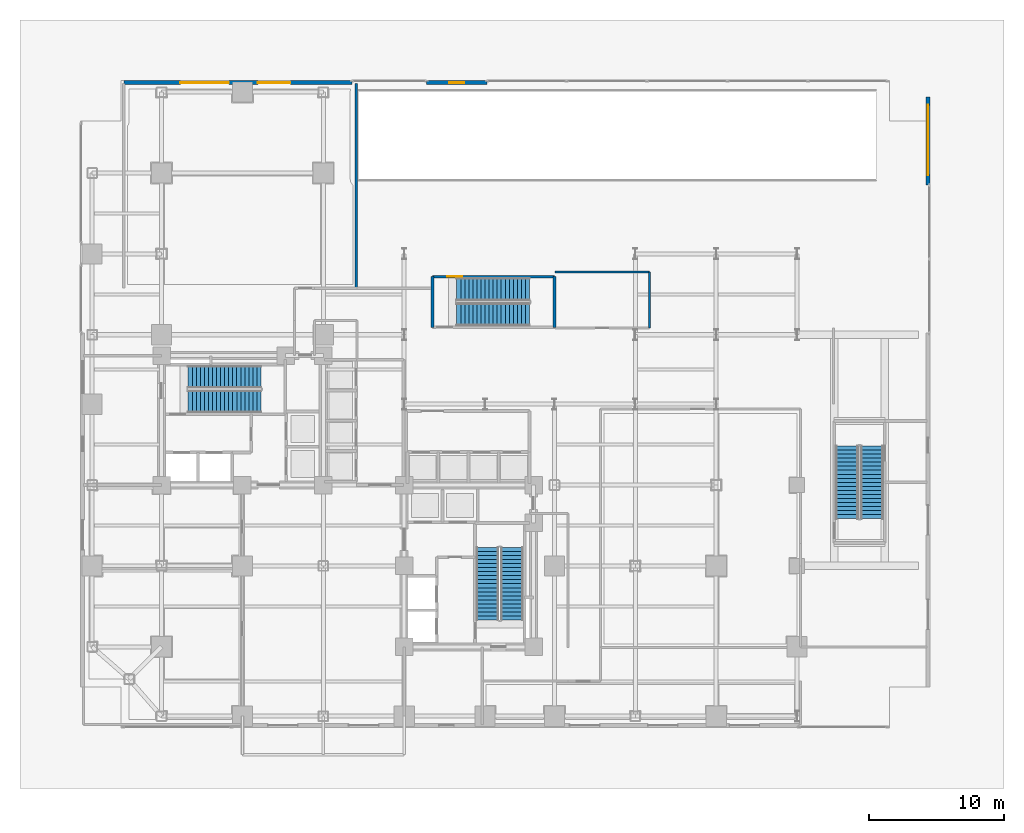
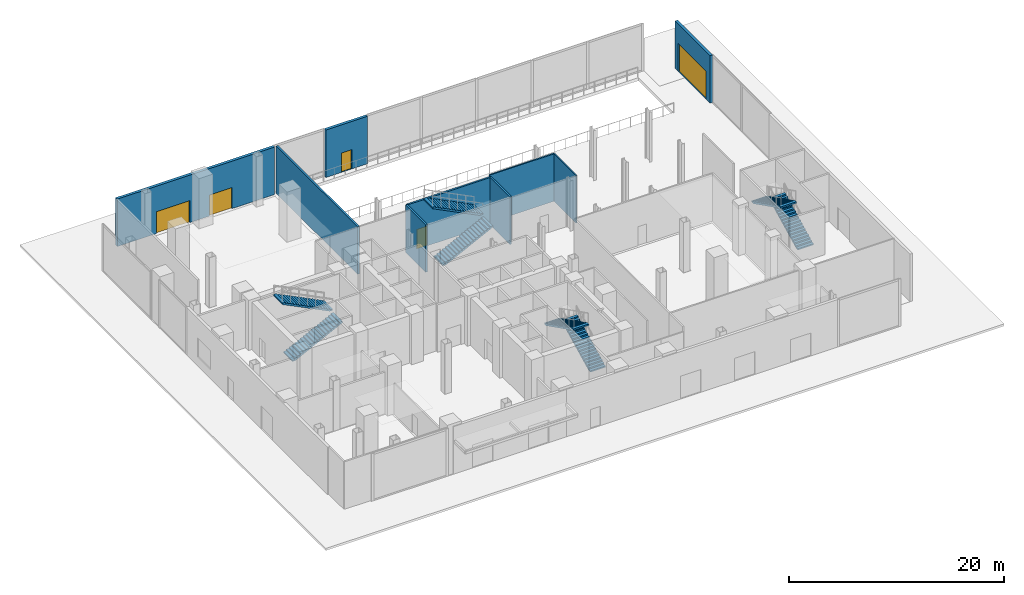
# One storey, part 21 of 27: 9 walls, 8 stair flights, 5 doors, 5 openings, 4 elements without a shape of their own.
"""IFC4 building model written with IfcOpenShell, lengths in metres."""

from ifc_helpers import new_model, si_unit, direction, frame, frame_2d, origin, place, context, subcontext, project, spatial, polyline, rectangle, outline, extrude, material, layer, layer_set, type_object, element, fill, aggregate, save


model = new_model("IFC4")

# Units and contexts
model_context = context("Model", 3, precision=1e-05, world=origin(), true_north=direction((0.0, 1.0)))
body_context = subcontext(model_context, "Body", "Model", "MODEL_VIEW")
ifc_project = project(units=[si_unit("LENGTHUNIT", "METRE"), si_unit("AREAUNIT", "SQUARE_METRE"), si_unit("VOLUMEUNIT", "CUBIC_METRE"), si_unit("PLANEANGLEUNIT", "RADIAN"), si_unit("MASSUNIT", "GRAM", prefix="KILO"), si_unit("THERMODYNAMICTEMPERATUREUNIT", "KELVIN"), si_unit("POWERUNIT", "WATT")], contexts=[model_context])

# Site, building, storey
site_placement = place(None, origin())
site = spatial("IfcSite", under=ifc_project, at=site_placement, CompositionType="ELEMENT")
building_placement = place(site_placement, origin())
building = spatial("IfcBuilding", under=site, at=building_placement, Name="Svarakhadi Broadcast Tower", CompositionType="ELEMENT")
storey_placement = place(building_placement, origin())
storey = spatial("IfcBuildingStorey", under=building, at=storey_placement, Name="L00", CompositionType="ELEMENT", Elevation=0.0)

# Wall, opening, door
ifc_material_1 = material(Name="Concrete C40/50 (IS 456 M50)", Category="concrete")
ifc_layer_1 = layer(ifc_material_1, 0.300048828125)
ifc_layer_set_1 = layer_set([ifc_layer_1], Name="Concrete C40/50 (IS 456 M50)")
wall_type_1 = type_object("IfcWallType", Name="Wall_Ext_300", PredefinedType="SOLIDWALL", material=ifc_layer_set_1)
wall_1_placement = place(storey_placement, frame((62.85009765625, 46.800048828125, 0.0), z_axis=(0.0, 0.0, 1.0), x_axis=(0.0, -1.0, 0.0)))
wall_1 = element("IfcWall", 1, at=wall_1_placement, inside=storey, type_object=wall_type_1, Name="L00 East Waterfront Ramp Portal Wall", PredefinedType="SOLIDWALL", context=body_context, shape_type="SweptSolid", body=[
    extrude(rectangle(XDim=6.545166015625, YDim=0.300048828125, at=frame_2d((3.2724609375, 0.0))), origin(), (0.0, 0.0, 1.0), 5.39990234375),
])
opening_1_placement = place(wall_1_placement, frame((0.60009765625, 0.0, 0.0)))
opening_1 = element("IfcOpeningElement", 2, at=opening_1_placement, cuts=wall_1, Name="Opening VG-01", PredefinedType="OPENING", context=body_context, shape_type="SweptSolid", body=[
    extrude(rectangle(XDim=5.199951171875, YDim=3.199951171875, at=frame_2d((2.60009765625, 1.60009765625))), frame((0.0, 0.159912109375, 0.0), z_axis=(0.0, -1.0, 0.0), x_axis=(1.0, 0.0, 0.0)), (0.0, 0.0, 1.0), 0.320068359375),
])
ifc_material_2 = material(Name="Steel S355J2 (IS 2062 E350C)", Category="steel")
door_type_1 = type_object("IfcDoorType", Name="Gate_Ramp_VG01", OperationType="ROLLINGUP", PredefinedType="GATE", material=ifc_material_2)
door_1_placement = place(opening_1_placement, origin())
door_1 = element("IfcDoor", 3, at=door_1_placement, inside=storey, type_object=door_type_1, Name="Basement Car Park Ramp Roller Shutter Gate VG-01", OperationType="ROLLINGUP", OverallHeight=3.199951171875, OverallWidth=5.199951171875, PredefinedType="GATE", context=body_context, shape_type="SweptSolid", body=[
    extrude(rectangle(XDim=5.199951171875, YDim=3.199951171875, at=frame_2d((2.60009765625, 1.60009765625))), frame((0.0, 0.02490234375, 0.0), z_axis=(0.0, -1.0, 0.0), x_axis=(1.0, 0.0, 0.0)), (0.0, 0.0, 1.0), 0.050048828125),
])
fill(opening_1, door_1)

# Wall, openings, doors
wall_2_placement = place(storey_placement, frame((3.199951171875, 47.85009765625, 0.0), z_axis=(0.0, 0.0, 1.0), x_axis=(1.0, 0.0, 0.0)))
wall_2 = element("IfcWall", 4, at=wall_2_placement, inside=storey, type_object=wall_type_1, Name="L00 North OB-Van Loading Dock Wall", PredefinedType="SOLIDWALL", context=body_context, shape_type="SweptSolid", body=[
    extrude(rectangle(XDim=16.945068359375, YDim=0.300048828125, at=frame_2d((8.47265625, 0.0))), origin(), (0.0, 0.0, 1.0), 5.39990234375),
])
opening_2_placement = place(wall_2_placement, frame((4.199951171875, 0.0, 0.0)))
opening_2 = element("IfcOpeningElement", 5, at=opening_2_placement, cuts=wall_2, Name="Opening FG-01", PredefinedType="OPENING", context=body_context, shape_type="SweptSolid", body=[
    extrude(rectangle(XDim=3.60009765625, YDim=2.5, at=frame_2d((1.800048828125, 1.25))), frame((0.0, 0.159912109375, 0.0), z_axis=(0.0, -1.0, 0.0), x_axis=(1.0, 0.0, 0.0)), (0.0, 0.0, 1.0), 0.320068359375),
])
opening_3_placement = place(wall_2_placement, frame((9.949951171875, 0.0, 0.0)))
opening_3 = element("IfcOpeningElement", 6, at=opening_3_placement, cuts=wall_2, Name="Opening FG-02", PredefinedType="OPENING", context=body_context, shape_type="SweptSolid", body=[
    extrude(rectangle(XDim=2.39990234375, YDim=2.39990234375, at=frame_2d((1.199951171875, 1.199951171875))), frame((0.0, 0.159912109375, 0.0), z_axis=(0.0, -1.0, 0.0), x_axis=(1.0, 0.0, 0.0)), (0.0, 0.0, 1.0), 0.320068359375),
])
door_type_2 = type_object("IfcDoorType", Name="Gate_Flood_FG01", OperationType="SLIDING_TO_LEFT", PredefinedType="GATE", material=ifc_material_2)
door_2_placement = place(opening_2_placement, origin())
door_2 = element("IfcDoor", 7, at=door_2_placement, inside=storey, type_object=door_type_2, Name="Monsoon Flood Barrier Loading Gate FG-01", OperationType="SLIDING_TO_LEFT", OverallHeight=2.5, OverallWidth=3.60009765625, PredefinedType="GATE", context=body_context, shape_type="SweptSolid", body=[
    extrude(rectangle(XDim=3.60009765625, YDim=2.5, at=frame_2d((1.800048828125, 1.25))), frame((0.0, 0.02490234375, 0.0), z_axis=(0.0, -1.0, 0.0), x_axis=(1.0, 0.0, 0.0)), (0.0, 0.0, 1.0), 0.050048828125),
])
fill(opening_2, door_2)
door_type_3 = type_object("IfcDoorType", Name="Gate_Flood_FG02", OperationType="SLIDING_TO_RIGHT", PredefinedType="GATE", material=ifc_material_2)
door_3_placement = place(opening_3_placement, origin())
door_3 = element("IfcDoor", 8, at=door_3_placement, inside=storey, type_object=door_type_3, Name="Broadcast OB-Van Service Dock Flood Gate FG-02", OperationType="SLIDING_TO_RIGHT", OverallHeight=2.39990234375, OverallWidth=2.39990234375, PredefinedType="GATE", context=body_context, shape_type="SweptSolid", body=[
    extrude(rectangle(XDim=2.39990234375, YDim=2.39990234375, at=frame_2d((1.199951171875, 1.199951171875))), frame((0.0, 0.02490234375, 0.0), z_axis=(0.0, -1.0, 0.0), x_axis=(1.0, 0.0, 0.0)), (0.0, 0.0, 1.0), 0.050048828125),
])
fill(opening_3, door_3)

# Wall, opening, door
wall_3_placement = place(storey_placement, frame((25.655029296875, 47.85009765625, 0.0), z_axis=(0.0, 0.0, 1.0), x_axis=(1.0, 0.0, 0.0)))
wall_3 = element("IfcWall", 9, at=wall_3_placement, inside=storey, type_object=wall_type_1, Name="L00 North Stair ST-03 Final Exit Wall", PredefinedType="SOLIDWALL", context=body_context, shape_type="SweptSolid", body=[
    extrude(rectangle(XDim=4.489990234375, YDim=0.300048828125, at=frame_2d((2.2451171875, 0.0))), origin(), (0.0, 0.0, 1.0), 5.39990234375),
])
opening_4_placement = place(wall_3_placement, frame((1.695068359375, 0.0, 0.0)))
opening_4 = element("IfcOpeningElement", 10, at=opening_4_placement, cuts=wall_3, Name="Opening ED-03", PredefinedType="OPENING", context=body_context, shape_type="SweptSolid", body=[
    extrude(rectangle(XDim=1.10009765625, YDim=2.199951171875, at=frame_2d((0.550048828125, 1.10009765625))), frame((0.0, 0.159912109375, 0.0), z_axis=(0.0, -1.0, 0.0), x_axis=(1.0, 0.0, 0.0)), (0.0, 0.0, 1.0), 0.320068359375),
])
ifc_material_3 = material(Name="Anodised Bronze Aluminium AA 6063-T6", Category="aluminium")
door_type_4 = type_object("IfcDoorType", Name="Door_Ext_ED03", OperationType="SINGLE_SWING_LEFT", PredefinedType="DOOR", material=ifc_material_3)
door_4_placement = place(opening_4_placement, origin())
door_4 = element("IfcDoor", 11, at=door_4_placement, inside=storey, type_object=door_type_4, Name="Podium Stair ST-03 Final Exterior Exit Door", OperationType="SINGLE_SWING_LEFT", OverallHeight=2.199951171875, OverallWidth=1.10009765625, PredefinedType="DOOR", context=body_context, shape_type="SweptSolid", body=[
    extrude(rectangle(XDim=1.10009765625, YDim=2.199951171875, at=frame_2d((0.550048828125, 1.10009765625))), frame((0.0, 0.02490234375, 0.0), z_axis=(0.0, -1.0, 0.0), x_axis=(1.0, 0.0, 0.0)), (0.0, 0.0, 1.0), 0.050048828125),
])
fill(opening_4, door_4)

# Walls
ifc_layer_2 = layer(ifc_material_1, 0.199951171875)
ifc_layer_set_2 = layer_set([ifc_layer_2], Name="Concrete C40/50 (IS 456 M50)")
wall_type_2 = type_object("IfcWallType", Name="Wall_Fire_200", PredefinedType="SOLIDWALL", material=ifc_layer_set_2)
wall_4_placement = place(storey_placement, frame((20.449951171875, 32.60009765625, 0.0), z_axis=(0.0, 0.0, 1.0), x_axis=(0.0, 1.0, 0.0)))
element("IfcWall", 12, at=wall_4_placement, inside=storey, type_object=wall_type_2, Name="L00 Broadcast OB-Van Loading Dock and Airlock Wall", PredefinedType="SOLIDWALL", context=body_context, shape_type="SweptSolid", body=[
    extrude(rectangle(XDim=15.179931640625, YDim=0.199951171875, at=frame_2d((7.58984375, 0.0))), origin(), (0.0, 0.0, 1.0), 5.39990234375),
])
ifc_material_4 = material(Name="Autoclaved Aerated Concrete Blockwork 150 mm", Category="masonry")
ifc_layer_3 = layer(ifc_material_4, 0.14990234375)
ifc_layer_set_3 = layer_set([ifc_layer_3], Name="Autoclaved Aerated Concrete Blockwork 150 mm")
wall_type_3 = type_object("IfcWallType", Name="Wall_Part_150", PredefinedType="PARTITIONING", material=ifc_layer_set_3)
wall_5_placement = place(storey_placement, frame((35.199951171875, 33.800048828125, 0.0), z_axis=(0.0, 0.0, 1.0), x_axis=(1.0, 0.0, 0.0)))
element("IfcWall", 13, at=wall_5_placement, inside=storey, type_object=wall_type_3, Name="L00 Accessible Public Washroom WC Wall", PredefinedType="PARTITIONING", context=body_context, shape_type="SweptSolid", body=[
    extrude(rectangle(XDim=7.0, YDim=0.14990234375, at=frame_2d((3.5, 0.0))), origin(), (0.0, 0.0, 1.0), 5.39990234375),
])
wall_6_placement = place(storey_placement, frame((42.199951171875, 29.64990234375, 0.0), z_axis=(0.0, 0.0, 1.0), x_axis=(0.0, 1.0, 0.0)))
element("IfcWall", 14, at=wall_6_placement, inside=storey, type_object=wall_type_3, Name="L00 Accessible Public Washroom WC Wall", PredefinedType="PARTITIONING", context=body_context, shape_type="SweptSolid", body=[
    extrude(rectangle(XDim=4.150146484375, YDim=0.14990234375, at=frame_2d((2.0751953125, 0.0))), origin(), (0.0, 0.0, 1.0), 5.39990234375),
])

# Wall, opening, door
ifc_material_5 = material(Name="Concrete C50/60 (IS 456 M60)", Category="concrete")
ifc_layer_4 = layer(ifc_material_5, 0.199951171875)
ifc_layer_set_4 = layer_set([ifc_layer_4], Name="Concrete C50/60 (IS 456 M60)")
wall_type_4 = type_object("IfcWallType", Name="Wall_Shear_200", PredefinedType="SHEAR", material=ifc_layer_set_4)
wall_7_placement = place(storey_placement, frame((26.10009765625, 33.4599609375, 0.0), z_axis=(0.0, 0.0, 1.0), x_axis=(1.0, 0.0, 0.0)))
wall_7 = element("IfcWall", 15, at=wall_7_placement, inside=storey, type_object=wall_type_4, Name="L00 Stair ST-03 North RC Shaft Wall", PredefinedType="SHEAR", context=body_context, shape_type="SweptSolid", body=[
    extrude(rectangle(XDim=9.0498046875, YDim=0.199951171875, at=frame_2d((4.52490234375, 0.0))), origin(), (0.0, 0.0, 1.0), 5.39990234375),
])
opening_5_placement = place(wall_7_placement, frame((1.10009765625, 0.0, 0.0)))
opening_5 = element("IfcOpeningElement", 16, at=opening_5_placement, cuts=wall_7, Name="Opening D-02", PredefinedType="OPENING", context=body_context, shape_type="SweptSolid", body=[
    extrude(rectangle(XDim=1.10009765625, YDim=2.199951171875, at=frame_2d((0.550048828125, 1.10009765625))), frame((0.0, 0.10986328125, 0.0), z_axis=(0.0, -1.0, 0.0), x_axis=(1.0, 0.0, 0.0)), (0.0, 0.0, 1.0), 0.219970703125),
])
ifc_material_6 = material(Name="Galvanised Powder-Coated Fire-Rated Steel Leaf", Category="steel")
door_type_5 = type_object("IfcDoorType", Name="Door_Stair_D02", OperationType="SINGLE_SWING_RIGHT", PredefinedType="DOOR", material=ifc_material_6)
door_5_placement = place(opening_5_placement, origin())
door_5 = element("IfcDoor", 17, at=door_5_placement, inside=storey, type_object=door_type_5, Name="L00 Stair ST-03 Protected Discharge Door", OperationType="SINGLE_SWING_RIGHT", OverallHeight=2.199951171875, OverallWidth=1.10009765625, PredefinedType="DOOR", context=body_context, shape_type="SweptSolid", body=[
    extrude(rectangle(XDim=1.10009765625, YDim=2.199951171875, at=frame_2d((0.550048828125, 1.10009765625))), frame((0.0, 0.02490234375, 0.0), z_axis=(0.0, -1.0, 0.0), x_axis=(1.0, 0.0, 0.0)), (0.0, 0.0, 1.0), 0.050048828125),
])
fill(opening_5, door_5)

# Walls
for number, where, z_axis, x_axis, name in (
    (18, (26.10009765625, 29.699951171875, 0.0), (0.0, 0.0, 1.0), (0.0, 1.0, 0.0), "L00 Stair ST-03 West RC Shaft Wall"),
    (19, (35.14990234375, 29.699951171875, 0.0), (0.0, 0.0, 1.0), (0.0, 1.0, 0.0), "L00 Stair ST-03 East RC Shaft Wall"),
):
    element("IfcWall", number, at=place(storey_placement, frame(where, z_axis=z_axis, x_axis=x_axis)), inside=storey, type_object=wall_type_4, Name=name, PredefinedType="SHEAR", context=body_context, shape_type="SweptSolid", body=[
        extrude(rectangle(XDim=3.760009765625, YDim=0.199951171875, at=frame_2d((1.8798828125, 0.0))), origin(), (0.0, 0.0, 1.0), 5.39990234375),
    ])

# Stair, stair flights
stair_type_1 = type_object("IfcStairType", Name="Stair_Exit_Core", PredefinedType="HALF_TURN_STAIR", material=ifc_material_1)
stair_1_placement = place(storey_placement, origin())
stair_1 = element("IfcStair", 20, at=stair_1_placement, inside=storey, type_object=stair_type_1, Name="L00 West Core Protected Exit Stair ST-01", PredefinedType="HALF_TURN_STAIR")
stair_flight_type_1 = type_object("IfcStairFlightType", Name="Flight_RC_1680", PredefinedType="STRAIGHT", material=ifc_material_1)
stair_flight_1_placement = place(storey_placement, frame((7.97998046875, 24.18994140625, 0.0), z_axis=(0.0, 0.0, 1.0), x_axis=(1.0, 0.0, 0.0)))
stair_flight_1 = element("IfcStairFlight", 21, at=stair_flight_1_placement, type_object=stair_flight_type_1, Name="ST-01 flight 1", NumberOfRisers=19, NumberOfTreads=18, PredefinedType="STRAIGHT", RiserHeight=0.15, TreadLength=0.3, context=body_context, shape_type="SweptSolid", body=[
    extrude(outline(polyline([(0.0, 0.0), (0.0, 0.14990234375), (0.300048828125, 0.14990234375), (0.300048828125, 0.300048828125), (0.60009765625, 0.300048828125), (0.60009765625, 0.449951171875), (0.89990234375, 0.449951171875), (0.89990234375, 0.60009765625), (1.199951171875, 0.60009765625), (1.199951171875, 0.75), (1.5, 0.75), (1.5, 0.89990234375), (1.800048828125, 0.89990234375), (1.800048828125, 1.050048828125), (2.10009765625, 1.050048828125), (2.10009765625, 1.199951171875), (2.39990234375, 1.199951171875), (2.39990234375, 1.35009765625), (2.699951171875, 1.35009765625), (2.699951171875, 1.5), (3.0, 1.5), (3.0, 1.64990234375), (3.300048828125, 1.64990234375), (3.300048828125, 1.800048828125), (3.60009765625, 1.800048828125), (3.60009765625, 1.949951171875), (3.89990234375, 1.949951171875), (3.89990234375, 2.10009765625), (4.199951171875, 2.10009765625), (4.199951171875, 2.25), (4.5, 2.25), (4.5, 2.39990234375), (4.800048828125, 2.39990234375), (4.800048828125, 2.550048828125), (5.10009765625, 2.550048828125), (5.10009765625, 2.699951171875), (5.39990234375, 2.699951171875), (5.39990234375, 2.85009765625), (5.39990234375, 2.532470703125), (0.335205078125, 0.0), (0.0, 0.0)])), frame((0.0, 0.830078125, 0.0), z_axis=(0.0, -1.0, 0.0), x_axis=(1.0, 0.0, 0.0)), (0.0, 0.0, 1.0), 1.659912109375),
])
stair_flight_2_placement = place(storey_placement, frame((13.3798828125, 26.010009765625, 2.85009765625), z_axis=(0.0, 0.0, 1.0), x_axis=(-1.0, 0.0, 0.0)))
stair_flight_2 = element("IfcStairFlight", 22, at=stair_flight_2_placement, type_object=stair_flight_type_1, Name="ST-01 flight 2", NumberOfRisers=19, NumberOfTreads=18, PredefinedType="STRAIGHT", RiserHeight=0.15, TreadLength=0.3, context=body_context, shape_type="SweptSolid", body=[
    extrude(outline(polyline([(0.0, 0.0), (0.0, 0.14990234375), (0.300048828125, 0.14990234375), (0.300048828125, 0.300048828125), (0.60009765625, 0.300048828125), (0.60009765625, 0.449951171875), (0.89990234375, 0.449951171875), (0.89990234375, 0.60009765625), (1.199951171875, 0.60009765625), (1.199951171875, 0.75), (1.5, 0.75), (1.5, 0.89990234375), (1.800048828125, 0.89990234375), (1.800048828125, 1.050048828125), (2.10009765625, 1.050048828125), (2.10009765625, 1.199951171875), (2.39990234375, 1.199951171875), (2.39990234375, 1.35009765625), (2.699951171875, 1.35009765625), (2.699951171875, 1.5), (3.0, 1.5), (3.0, 1.64990234375), (3.300048828125, 1.64990234375), (3.300048828125, 1.800048828125), (3.60009765625, 1.800048828125), (3.60009765625, 1.949951171875), (3.89990234375, 1.949951171875), (3.89990234375, 2.10009765625), (4.199951171875, 2.10009765625), (4.199951171875, 2.25), (4.5, 2.25), (4.5, 2.39990234375), (4.800048828125, 2.39990234375), (4.800048828125, 2.550048828125), (5.10009765625, 2.550048828125), (5.10009765625, 2.699951171875), (5.39990234375, 2.699951171875), (5.39990234375, 2.85009765625), (5.39990234375, 2.532470703125), (0.335205078125, 0.0), (0.0, 0.0)])), frame((0.0, 0.830078125, 0.0), z_axis=(0.0, -1.0, 0.0), x_axis=(1.0, 0.0, 0.0)), (0.0, 0.0, 1.0), 1.659912109375),
])
aggregate(stair_1, [stair_flight_1, stair_flight_2])

stair_2_placement = place(storey_placement, origin())
stair_2 = element("IfcStair", 23, at=stair_2_placement, inside=storey, type_object=stair_type_1, Name="L00 East Core Protected Exit Stair ST-02", PredefinedType="HALF_TURN_STAIR")
stair_flight_3_placement = place(storey_placement, frame((32.010009765625, 7.97998046875, 0.0), z_axis=(0.0, 0.0, 1.0), x_axis=(0.0, 1.0, 0.0)))
stair_flight_3 = element("IfcStairFlight", 24, at=stair_flight_3_placement, type_object=stair_flight_type_1, Name="ST-02 flight 1", NumberOfRisers=19, NumberOfTreads=18, PredefinedType="STRAIGHT", RiserHeight=0.15, TreadLength=0.3, context=body_context, shape_type="SweptSolid", body=[
    extrude(outline(polyline([(0.0, 0.0), (0.0, 0.14990234375), (0.300048828125, 0.14990234375), (0.300048828125, 0.300048828125), (0.60009765625, 0.300048828125), (0.60009765625, 0.449951171875), (0.89990234375, 0.449951171875), (0.89990234375, 0.60009765625), (1.199951171875, 0.60009765625), (1.199951171875, 0.75), (1.5, 0.75), (1.5, 0.89990234375), (1.800048828125, 0.89990234375), (1.800048828125, 1.050048828125), (2.10009765625, 1.050048828125), (2.10009765625, 1.199951171875), (2.39990234375, 1.199951171875), (2.39990234375, 1.35009765625), (2.699951171875, 1.35009765625), (2.699951171875, 1.5), (3.0, 1.5), (3.0, 1.64990234375), (3.300048828125, 1.64990234375), (3.300048828125, 1.800048828125), (3.60009765625, 1.800048828125), (3.60009765625, 1.949951171875), (3.89990234375, 1.949951171875), (3.89990234375, 2.10009765625), (4.199951171875, 2.10009765625), (4.199951171875, 2.25), (4.5, 2.25), (4.5, 2.39990234375), (4.800048828125, 2.39990234375), (4.800048828125, 2.550048828125), (5.10009765625, 2.550048828125), (5.10009765625, 2.699951171875), (5.39990234375, 2.699951171875), (5.39990234375, 2.85009765625), (5.39990234375, 2.532470703125), (0.335205078125, 0.0), (0.0, 0.0)])), frame((0.0, 0.830078125, 0.0), z_axis=(0.0, -1.0, 0.0), x_axis=(1.0, 0.0, 0.0)), (0.0, 0.0, 1.0), 1.659912109375),
])
stair_flight_4_placement = place(storey_placement, frame((30.18994140625, 13.3798828125, 2.85009765625), z_axis=(0.0, 0.0, 1.0), x_axis=(0.0, -1.0, 0.0)))
stair_flight_4 = element("IfcStairFlight", 25, at=stair_flight_4_placement, type_object=stair_flight_type_1, Name="ST-02 flight 2", NumberOfRisers=19, NumberOfTreads=18, PredefinedType="STRAIGHT", RiserHeight=0.15, TreadLength=0.3, context=body_context, shape_type="SweptSolid", body=[
    extrude(outline(polyline([(0.0, 0.0), (0.0, 0.14990234375), (0.300048828125, 0.14990234375), (0.300048828125, 0.300048828125), (0.60009765625, 0.300048828125), (0.60009765625, 0.449951171875), (0.89990234375, 0.449951171875), (0.89990234375, 0.60009765625), (1.199951171875, 0.60009765625), (1.199951171875, 0.75), (1.5, 0.75), (1.5, 0.89990234375), (1.800048828125, 0.89990234375), (1.800048828125, 1.050048828125), (2.10009765625, 1.050048828125), (2.10009765625, 1.199951171875), (2.39990234375, 1.199951171875), (2.39990234375, 1.35009765625), (2.699951171875, 1.35009765625), (2.699951171875, 1.5), (3.0, 1.5), (3.0, 1.64990234375), (3.300048828125, 1.64990234375), (3.300048828125, 1.800048828125), (3.60009765625, 1.800048828125), (3.60009765625, 1.949951171875), (3.89990234375, 1.949951171875), (3.89990234375, 2.10009765625), (4.199951171875, 2.10009765625), (4.199951171875, 2.25), (4.5, 2.25), (4.5, 2.39990234375), (4.800048828125, 2.39990234375), (4.800048828125, 2.550048828125), (5.10009765625, 2.550048828125), (5.10009765625, 2.699951171875), (5.39990234375, 2.699951171875), (5.39990234375, 2.85009765625), (5.39990234375, 2.532470703125), (0.335205078125, 0.0), (0.0, 0.0)])), frame((0.0, 0.830078125, 0.0), z_axis=(0.0, -1.0, 0.0), x_axis=(1.0, 0.0, 0.0)), (0.0, 0.0, 1.0), 1.659912109375),
])
aggregate(stair_2, [stair_flight_3, stair_flight_4])

stair_type_2 = type_object("IfcStairType", Name="Stair_Exit_Pod", PredefinedType="HALF_TURN_STAIR", material=ifc_material_1)
stair_3_placement = place(storey_placement, origin())
stair_3 = element("IfcStair", 26, at=stair_3_placement, inside=storey, type_object=stair_type_2, Name="L00 Podium Concourse Broadcast Exit Stair ST-03", PredefinedType="HALF_TURN_STAIR")
stair_flight_type_2 = type_object("IfcStairFlightType", Name="Flight_RC_1800", PredefinedType="STRAIGHT", material=ifc_material_1)
stair_flight_5_placement = place(storey_placement, frame((27.89990234375, 30.64990234375, 0.0), z_axis=(0.0, 0.0, 1.0), x_axis=(1.0, 0.0, 0.0)))
stair_flight_5 = element("IfcStairFlight", 27, at=stair_flight_5_placement, type_object=stair_flight_type_2, Name="ST-03 flight 1", NumberOfRisers=19, NumberOfTreads=18, PredefinedType="STRAIGHT", RiserHeight=0.15, TreadLength=0.3, context=body_context, shape_type="SweptSolid", body=[
    extrude(outline(polyline([(0.0, 0.0), (0.0, 0.14990234375), (0.300048828125, 0.14990234375), (0.300048828125, 0.300048828125), (0.60009765625, 0.300048828125), (0.60009765625, 0.449951171875), (0.89990234375, 0.449951171875), (0.89990234375, 0.60009765625), (1.199951171875, 0.60009765625), (1.199951171875, 0.75), (1.5, 0.75), (1.5, 0.89990234375), (1.800048828125, 0.89990234375), (1.800048828125, 1.050048828125), (2.10009765625, 1.050048828125), (2.10009765625, 1.199951171875), (2.39990234375, 1.199951171875), (2.39990234375, 1.35009765625), (2.699951171875, 1.35009765625), (2.699951171875, 1.5), (3.0, 1.5), (3.0, 1.64990234375), (3.300048828125, 1.64990234375), (3.300048828125, 1.800048828125), (3.60009765625, 1.800048828125), (3.60009765625, 1.949951171875), (3.89990234375, 1.949951171875), (3.89990234375, 2.10009765625), (4.199951171875, 2.10009765625), (4.199951171875, 2.25), (4.5, 2.25), (4.5, 2.39990234375), (4.800048828125, 2.39990234375), (4.800048828125, 2.550048828125), (5.10009765625, 2.550048828125), (5.10009765625, 2.699951171875), (5.39990234375, 2.699951171875), (5.39990234375, 2.85009765625), (5.39990234375, 2.532470703125), (0.335205078125, 0.0), (0.0, 0.0)])), frame((0.0, 0.85009765625, 0.0), z_axis=(0.0, -1.0, 0.0), x_axis=(1.0, 0.0, 0.0)), (0.0, 0.0, 1.0), 1.699951171875),
])
stair_flight_6_placement = place(storey_placement, frame((33.300048828125, 32.510009765625, 2.85009765625), z_axis=(0.0, 0.0, 1.0), x_axis=(-1.0, 0.0, 0.0)))
stair_flight_6 = element("IfcStairFlight", 28, at=stair_flight_6_placement, type_object=stair_flight_type_2, Name="ST-03 flight 2", NumberOfRisers=19, NumberOfTreads=18, PredefinedType="STRAIGHT", RiserHeight=0.15, TreadLength=0.3, context=body_context, shape_type="SweptSolid", body=[
    extrude(outline(polyline([(0.0, 0.0), (0.0, 0.14990234375), (0.300048828125, 0.14990234375), (0.300048828125, 0.300048828125), (0.60009765625, 0.300048828125), (0.60009765625, 0.449951171875), (0.89990234375, 0.449951171875), (0.89990234375, 0.60009765625), (1.199951171875, 0.60009765625), (1.199951171875, 0.75), (1.5, 0.75), (1.5, 0.89990234375), (1.800048828125, 0.89990234375), (1.800048828125, 1.050048828125), (2.10009765625, 1.050048828125), (2.10009765625, 1.199951171875), (2.39990234375, 1.199951171875), (2.39990234375, 1.35009765625), (2.699951171875, 1.35009765625), (2.699951171875, 1.5), (3.0, 1.5), (3.0, 1.64990234375), (3.300048828125, 1.64990234375), (3.300048828125, 1.800048828125), (3.60009765625, 1.800048828125), (3.60009765625, 1.949951171875), (3.89990234375, 1.949951171875), (3.89990234375, 2.10009765625), (4.199951171875, 2.10009765625), (4.199951171875, 2.25), (4.5, 2.25), (4.5, 2.39990234375), (4.800048828125, 2.39990234375), (4.800048828125, 2.550048828125), (5.10009765625, 2.550048828125), (5.10009765625, 2.699951171875), (5.39990234375, 2.699951171875), (5.39990234375, 2.85009765625), (5.39990234375, 2.532470703125), (0.335205078125, 0.0), (0.0, 0.0)])), frame((0.0, 0.85009765625, 0.0), z_axis=(0.0, -1.0, 0.0), x_axis=(1.0, 0.0, 0.0)), (0.0, 0.0, 1.0), 1.699951171875),
])
aggregate(stair_3, [stair_flight_5, stair_flight_6])

stair_4_placement = place(storey_placement, origin())
stair_4 = element("IfcStair", 29, at=stair_4_placement, inside=storey, type_object=stair_type_2, Name="L00 Podium East Broadcast Exit Stair ST-04", PredefinedType="HALF_TURN_STAIR")
stair_flight_7_placement = place(storey_placement, frame((58.7099609375, 15.5, 0.0), z_axis=(0.0, 0.0, 1.0), x_axis=(0.0, 1.0, 0.0)))
stair_flight_7 = element("IfcStairFlight", 30, at=stair_flight_7_placement, type_object=stair_flight_type_2, Name="ST-04 flight 1", NumberOfRisers=19, NumberOfTreads=18, PredefinedType="STRAIGHT", RiserHeight=0.15, TreadLength=0.3, context=body_context, shape_type="SweptSolid", body=[
    extrude(outline(polyline([(0.0, 0.0), (0.0, 0.14990234375), (0.300048828125, 0.14990234375), (0.300048828125, 0.300048828125), (0.60009765625, 0.300048828125), (0.60009765625, 0.449951171875), (0.89990234375, 0.449951171875), (0.89990234375, 0.60009765625), (1.199951171875, 0.60009765625), (1.199951171875, 0.75), (1.5, 0.75), (1.5, 0.89990234375), (1.800048828125, 0.89990234375), (1.800048828125, 1.050048828125), (2.10009765625, 1.050048828125), (2.10009765625, 1.199951171875), (2.39990234375, 1.199951171875), (2.39990234375, 1.35009765625), (2.699951171875, 1.35009765625), (2.699951171875, 1.5), (3.0, 1.5), (3.0, 1.64990234375), (3.300048828125, 1.64990234375), (3.300048828125, 1.800048828125), (3.60009765625, 1.800048828125), (3.60009765625, 1.949951171875), (3.89990234375, 1.949951171875), (3.89990234375, 2.10009765625), (4.199951171875, 2.10009765625), (4.199951171875, 2.25), (4.5, 2.25), (4.5, 2.39990234375), (4.800048828125, 2.39990234375), (4.800048828125, 2.550048828125), (5.10009765625, 2.550048828125), (5.10009765625, 2.699951171875), (5.39990234375, 2.699951171875), (5.39990234375, 2.85009765625), (5.39990234375, 2.532470703125), (0.335205078125, 0.0), (0.0, 0.0)])), frame((0.0, 0.85009765625, 0.0), z_axis=(0.0, -1.0, 0.0), x_axis=(1.0, 0.0, 0.0)), (0.0, 0.0, 1.0), 1.699951171875),
])
stair_flight_8_placement = place(storey_placement, frame((56.85009765625, 20.89990234375, 2.85009765625), z_axis=(0.0, 0.0, 1.0), x_axis=(0.0, -1.0, 0.0)))
stair_flight_8 = element("IfcStairFlight", 31, at=stair_flight_8_placement, type_object=stair_flight_type_2, Name="ST-04 flight 2", NumberOfRisers=19, NumberOfTreads=18, PredefinedType="STRAIGHT", RiserHeight=0.15, TreadLength=0.3, context=body_context, shape_type="SweptSolid", body=[
    extrude(outline(polyline([(0.0, 0.0), (0.0, 0.14990234375), (0.300048828125, 0.14990234375), (0.300048828125, 0.300048828125), (0.60009765625, 0.300048828125), (0.60009765625, 0.449951171875), (0.89990234375, 0.449951171875), (0.89990234375, 0.60009765625), (1.199951171875, 0.60009765625), (1.199951171875, 0.75), (1.5, 0.75), (1.5, 0.89990234375), (1.800048828125, 0.89990234375), (1.800048828125, 1.050048828125), (2.10009765625, 1.050048828125), (2.10009765625, 1.199951171875), (2.39990234375, 1.199951171875), (2.39990234375, 1.35009765625), (2.699951171875, 1.35009765625), (2.699951171875, 1.5), (3.0, 1.5), (3.0, 1.64990234375), (3.300048828125, 1.64990234375), (3.300048828125, 1.800048828125), (3.60009765625, 1.800048828125), (3.60009765625, 1.949951171875), (3.89990234375, 1.949951171875), (3.89990234375, 2.10009765625), (4.199951171875, 2.10009765625), (4.199951171875, 2.25), (4.5, 2.25), (4.5, 2.39990234375), (4.800048828125, 2.39990234375), (4.800048828125, 2.550048828125), (5.10009765625, 2.550048828125), (5.10009765625, 2.699951171875), (5.39990234375, 2.699951171875), (5.39990234375, 2.85009765625), (5.39990234375, 2.532470703125), (0.335205078125, 0.0), (0.0, 0.0)])), frame((0.0, 0.85009765625, 0.0), z_axis=(0.0, -1.0, 0.0), x_axis=(1.0, 0.0, 0.0)), (0.0, 0.0, 1.0), 1.699951171875),
])
aggregate(stair_4, [stair_flight_7, stair_flight_8])

save(model, "model.ifc")
